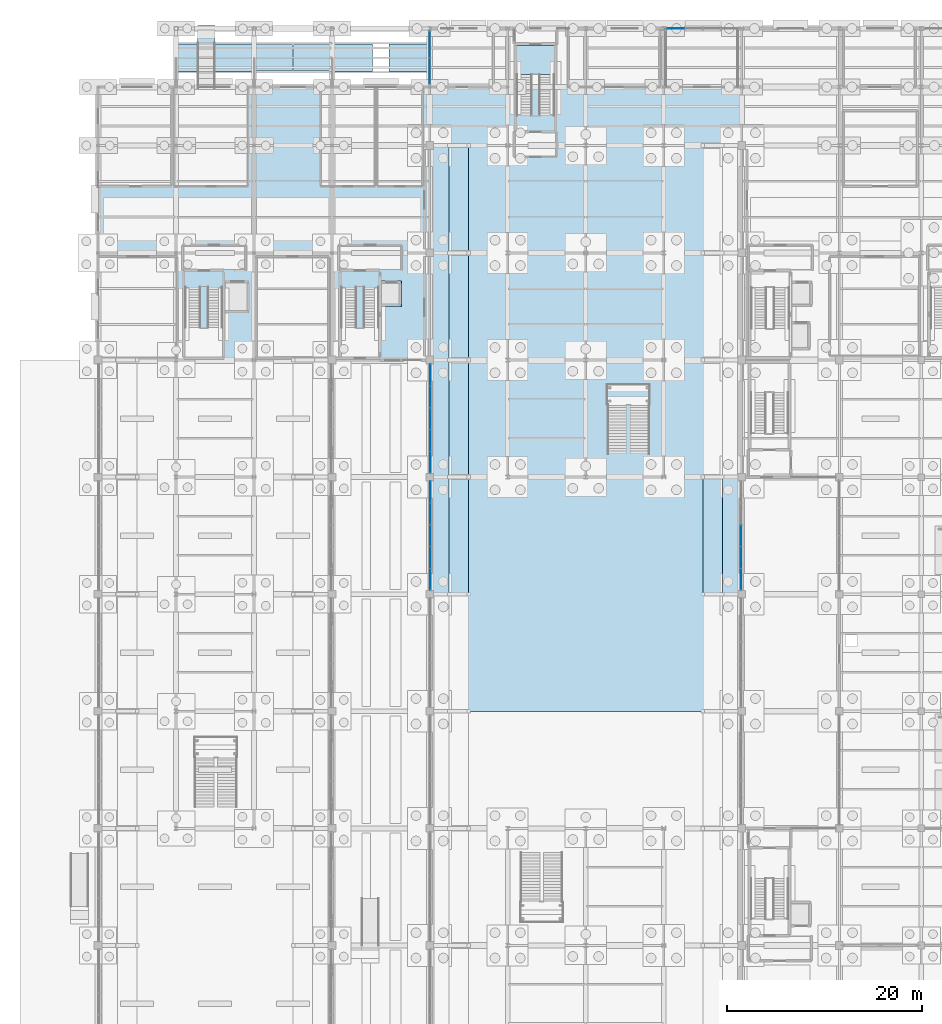
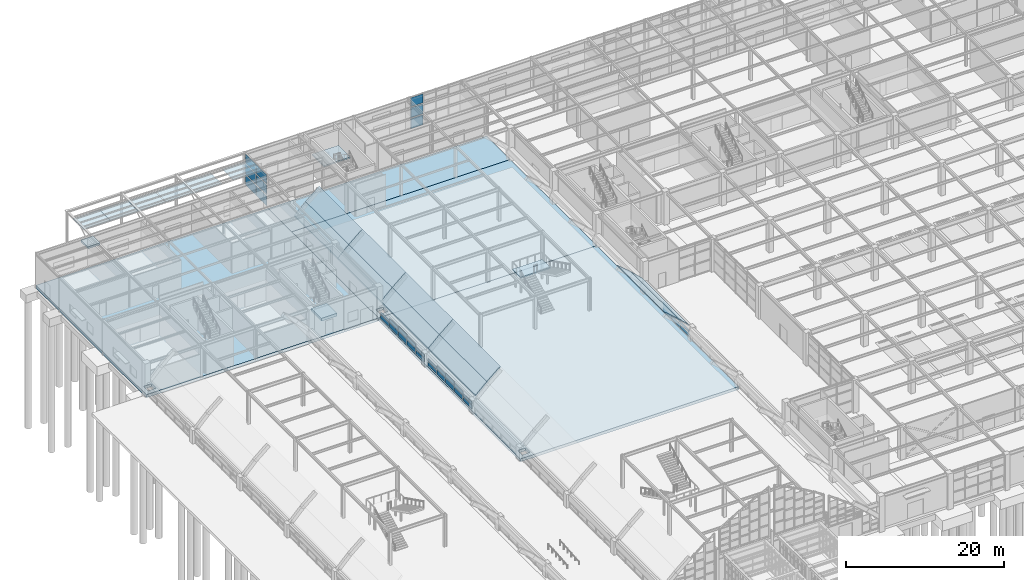
# One storey, part 88 of 129: 41 plates, 18 slabs, 8 elements without a shape of their own.
"""IFC4 building model written with IfcOpenShell, lengths in metres."""

from ifc_helpers import new_model, si_unit, direction, frame, origin, origin_2d, place, context, subcontext, project, spatial, polyline, rectangle, outline, extrude, material, layer, layer_set, type_object, element, aggregate, save


model = new_model("IFC4")

# Units and contexts
model_context = context("Model", 3, precision=1e-05, world=origin(), true_north=direction((0.0, 1.0)))
body_context = subcontext(model_context, "Body", "Model", "MODEL_VIEW")
ifc_project = project(units=[si_unit("LENGTHUNIT", "METRE"), si_unit("AREAUNIT", "SQUARE_METRE"), si_unit("VOLUMEUNIT", "CUBIC_METRE"), si_unit("PLANEANGLEUNIT", "RADIAN"), si_unit("MASSUNIT", "GRAM", prefix="KILO")], contexts=[model_context])

# Site, building, storey
site_placement = place(None, origin())
site = spatial("IfcSite", under=ifc_project, at=site_placement, CompositionType="ELEMENT")
building_placement = place(site_placement, origin())
building = spatial("IfcBuilding", under=site, at=building_placement, Name="Sitalva Quay Ferry Terminal", CompositionType="ELEMENT")
storey_placement = place(building_placement, origin())
storey = spatial("IfcBuildingStorey", under=building, at=storey_placement, Name="L01", CompositionType="ELEMENT", Elevation=0.0)

# Curtain wall, plates
ifc_material_1 = material(Name="Anodised Aluminium & Low-E Glazing", Category="aluminium")
ifc_layer_1 = layer(ifc_material_1, 0.159912109375)
ifc_layer_set_1 = layer_set([ifc_layer_1], Name="Anodised Aluminium & Low-E Glazing")
curtain_wall_type_1 = type_object("IfcCurtainWallType", Name="CW_VaultArch_Glazed", PredefinedType="USERDEFINED", material=ifc_layer_set_1)
curtain_wall_1_placement = place(storey_placement, origin())
curtain_wall_1 = element("IfcCurtainWall", 1, at=curtain_wall_1_placement, inside=storey, type_object=curtain_wall_type_1, Name="V1-W shallow-arch base glazing (CW-L01-026)", ObjectType="CURTAIN_WALL", PredefinedType="USERDEFINED")
ifc_material_2 = material(Name="Clear Low-Iron Arch Glazing", Category="glass")
ifc_layer_2 = layer(ifc_material_2, 0.02587890625)
ifc_layer_set_2 = layer_set([ifc_layer_2], Name="Clear Low-Iron Arch Glazing")
plate_type_1 = type_object("IfcPlateType", Name="Panel_Arch_IGU_26", PredefinedType="CURTAIN_PANEL", material=ifc_layer_set_2)
plate_1_placement = place(storey_placement, frame((42.080078125, 55.52001953125, 0.155029296875), z_axis=(0.0, 0.0, 1.0), x_axis=(0.0, 1.0, 0.0)))
plate_1 = element("IfcPlate", 2, at=plate_1_placement, type_object=plate_type_1, Name="CW-L01-026-P0-0", PredefinedType="CURTAIN_PANEL", context=body_context, shape_type="SweptSolid", body=[
    extrude(rectangle(XDim=2.169921875, YDim=0.02587890625, at=origin_2d()), origin(), (0.0, 0.0, 1.0), 0.544921875),
])
plate_2_placement = place(storey_placement, frame((42.080078125, 55.52001953125, 0.85498046875), z_axis=(0.0, 0.0, 1.0), x_axis=(0.0, 1.0, 0.0)))
plate_2 = element("IfcPlate", 3, at=plate_2_placement, type_object=plate_type_1, Name="CW-L01-026-P0-1", PredefinedType="CURTAIN_PANEL", context=body_context, shape_type="SweptSolid", body=[
    extrude(rectangle(XDim=2.169921875, YDim=0.02587890625, at=origin_2d()), origin(), (0.0, 0.0, 1.0), 0.389892578125),
])
plate_3_placement = place(storey_placement, frame((42.080078125, 57.760009765625, 0.1552734375), z_axis=(0.0, 0.0, 1.0), x_axis=(0.0, 1.0, 0.0)))
plate_3 = element("IfcPlate", 4, at=plate_3_placement, type_object=plate_type_1, Name="CW-L01-026-P1-0", PredefinedType="CURTAIN_PANEL", context=body_context, shape_type="SweptSolid", body=[
    extrude(rectangle(XDim=2.169921875, YDim=0.02587890625, at=origin_2d()), origin(), (0.0, 0.0, 1.0), 0.698486328125),
])
plate_4_placement = place(storey_placement, frame((42.080078125, 57.760009765625, 1.0087890625), z_axis=(0.0, 0.0, 1.0), x_axis=(0.0, 1.0, 0.0)))
plate_4 = element("IfcPlate", 5, at=plate_4_placement, type_object=plate_type_1, Name="CW-L01-026-P1-1", PredefinedType="CURTAIN_PANEL", context=body_context, shape_type="SweptSolid", body=[
    extrude(rectangle(XDim=2.169921875, YDim=0.02587890625, at=origin_2d()), origin(), (0.0, 0.0, 1.0), 0.543701171875),
])
plate_5_placement = place(storey_placement, frame((42.080078125, 60.0, 0.155029296875), z_axis=(0.0, 0.0, 1.0), x_axis=(0.0, 1.0, 0.0)))
plate_5 = element("IfcPlate", 6, at=plate_5_placement, type_object=plate_type_1, Name="CW-L01-026-P2-0", PredefinedType="CURTAIN_PANEL", context=body_context, shape_type="SweptSolid", body=[
    extrude(rectangle(XDim=2.169921875, YDim=0.02587890625, at=origin_2d()), origin(), (0.0, 0.0, 1.0), 0.775390625),
])
plate_6_placement = place(storey_placement, frame((42.080078125, 60.0, 1.08544921875), z_axis=(0.0, 0.0, 1.0), x_axis=(0.0, 1.0, 0.0)))
plate_6 = element("IfcPlate", 7, at=plate_6_placement, type_object=plate_type_1, Name="CW-L01-026-P2-1", PredefinedType="CURTAIN_PANEL", context=body_context, shape_type="SweptSolid", body=[
    extrude(rectangle(XDim=2.169921875, YDim=0.02587890625, at=origin_2d()), origin(), (0.0, 0.0, 1.0), 0.620361328125),
])
plate_7_placement = place(storey_placement, frame((42.080078125, 62.239990234375, 0.1552734375), z_axis=(0.0, 0.0, 1.0), x_axis=(0.0, 1.0, 0.0)))
plate_7 = element("IfcPlate", 8, at=plate_7_placement, type_object=plate_type_1, Name="CW-L01-026-P3-0", PredefinedType="CURTAIN_PANEL", context=body_context, shape_type="SweptSolid", body=[
    extrude(rectangle(XDim=2.169921875, YDim=0.02587890625, at=origin_2d()), origin(), (0.0, 0.0, 1.0), 0.698486328125),
])
plate_8_placement = place(storey_placement, frame((42.080078125, 62.239990234375, 1.0087890625), z_axis=(0.0, 0.0, 1.0), x_axis=(0.0, 1.0, 0.0)))
plate_8 = element("IfcPlate", 9, at=plate_8_placement, type_object=plate_type_1, Name="CW-L01-026-P3-1", PredefinedType="CURTAIN_PANEL", context=body_context, shape_type="SweptSolid", body=[
    extrude(rectangle(XDim=2.169921875, YDim=0.02587890625, at=origin_2d()), origin(), (0.0, 0.0, 1.0), 0.543701171875),
])
plate_9_placement = place(storey_placement, frame((42.080078125, 64.47998046875, 0.155029296875), z_axis=(0.0, 0.0, 1.0), x_axis=(0.0, 1.0, 0.0)))
plate_9 = element("IfcPlate", 10, at=plate_9_placement, type_object=plate_type_1, Name="CW-L01-026-P4-0", PredefinedType="CURTAIN_PANEL", context=body_context, shape_type="SweptSolid", body=[
    extrude(rectangle(XDim=2.169921875, YDim=0.02587890625, at=origin_2d()), origin(), (0.0, 0.0, 1.0), 0.544921875),
])
plate_10_placement = place(storey_placement, frame((42.080078125, 64.47998046875, 0.85498046875), z_axis=(0.0, 0.0, 1.0), x_axis=(0.0, 1.0, 0.0)))
plate_10 = element("IfcPlate", 11, at=plate_10_placement, type_object=plate_type_1, Name="CW-L01-026-P4-1", PredefinedType="CURTAIN_PANEL", context=body_context, shape_type="SweptSolid", body=[
    extrude(rectangle(XDim=2.169921875, YDim=0.02587890625, at=origin_2d()), origin(), (0.0, 0.0, 1.0), 0.389892578125),
])
aggregate(curtain_wall_1, [plate_1, plate_2, plate_3, plate_4, plate_5, plate_6, plate_7, plate_8, plate_9, plate_10])

curtain_wall_2_placement = place(storey_placement, origin())
curtain_wall_2 = element("IfcCurtainWall", 12, at=curtain_wall_2_placement, inside=storey, type_object=curtain_wall_type_1, Name="V1-W shallow-arch base glazing (CW-L01-029)", ObjectType="CURTAIN_WALL", PredefinedType="USERDEFINED")
plate_11_placement = place(storey_placement, frame((42.080078125, 67.52001953125, 0.155029296875), z_axis=(0.0, 0.0, 1.0), x_axis=(0.0, 1.0, 0.0)))
plate_11 = element("IfcPlate", 13, at=plate_11_placement, type_object=plate_type_1, Name="CW-L01-029-P0-0", PredefinedType="CURTAIN_PANEL", context=body_context, shape_type="SweptSolid", body=[
    extrude(rectangle(XDim=2.169921875, YDim=0.02587890625, at=origin_2d()), origin(), (0.0, 0.0, 1.0), 0.544921875),
])
plate_12_placement = place(storey_placement, frame((42.080078125, 67.52001953125, 0.85498046875), z_axis=(0.0, 0.0, 1.0), x_axis=(0.0, 1.0, 0.0)))
plate_12 = element("IfcPlate", 14, at=plate_12_placement, type_object=plate_type_1, Name="CW-L01-029-P0-1", PredefinedType="CURTAIN_PANEL", context=body_context, shape_type="SweptSolid", body=[
    extrude(rectangle(XDim=2.169921875, YDim=0.02587890625, at=origin_2d()), origin(), (0.0, 0.0, 1.0), 0.389892578125),
])
plate_13_placement = place(storey_placement, frame((42.080078125, 69.760009765625, 0.1552734375), z_axis=(0.0, 0.0, 1.0), x_axis=(0.0, 1.0, 0.0)))
plate_13 = element("IfcPlate", 15, at=plate_13_placement, type_object=plate_type_1, Name="CW-L01-029-P1-0", PredefinedType="CURTAIN_PANEL", context=body_context, shape_type="SweptSolid", body=[
    extrude(rectangle(XDim=2.169921875, YDim=0.02587890625, at=origin_2d()), origin(), (0.0, 0.0, 1.0), 0.698486328125),
])
plate_14_placement = place(storey_placement, frame((42.080078125, 69.760009765625, 1.0087890625), z_axis=(0.0, 0.0, 1.0), x_axis=(0.0, 1.0, 0.0)))
plate_14 = element("IfcPlate", 16, at=plate_14_placement, type_object=plate_type_1, Name="CW-L01-029-P1-1", PredefinedType="CURTAIN_PANEL", context=body_context, shape_type="SweptSolid", body=[
    extrude(rectangle(XDim=2.169921875, YDim=0.02587890625, at=origin_2d()), origin(), (0.0, 0.0, 1.0), 0.543701171875),
])
plate_15_placement = place(storey_placement, frame((42.080078125, 72.0, 0.155029296875), z_axis=(0.0, 0.0, 1.0), x_axis=(0.0, 1.0, 0.0)))
plate_15 = element("IfcPlate", 17, at=plate_15_placement, type_object=plate_type_1, Name="CW-L01-029-P2-0", PredefinedType="CURTAIN_PANEL", context=body_context, shape_type="SweptSolid", body=[
    extrude(rectangle(XDim=2.169921875, YDim=0.02587890625, at=origin_2d()), origin(), (0.0, 0.0, 1.0), 0.775390625),
])
plate_16_placement = place(storey_placement, frame((42.080078125, 72.0, 1.08544921875), z_axis=(0.0, 0.0, 1.0), x_axis=(0.0, 1.0, 0.0)))
plate_16 = element("IfcPlate", 18, at=plate_16_placement, type_object=plate_type_1, Name="CW-L01-029-P2-1", PredefinedType="CURTAIN_PANEL", context=body_context, shape_type="SweptSolid", body=[
    extrude(rectangle(XDim=2.169921875, YDim=0.02587890625, at=origin_2d()), origin(), (0.0, 0.0, 1.0), 0.620361328125),
])
plate_17_placement = place(storey_placement, frame((42.080078125, 74.239990234375, 0.1552734375), z_axis=(0.0, 0.0, 1.0), x_axis=(0.0, 1.0, 0.0)))
plate_17 = element("IfcPlate", 19, at=plate_17_placement, type_object=plate_type_1, Name="CW-L01-029-P3-0", PredefinedType="CURTAIN_PANEL", context=body_context, shape_type="SweptSolid", body=[
    extrude(rectangle(XDim=2.169921875, YDim=0.02587890625, at=origin_2d()), origin(), (0.0, 0.0, 1.0), 0.698486328125),
])
plate_18_placement = place(storey_placement, frame((42.080078125, 74.239990234375, 1.0087890625), z_axis=(0.0, 0.0, 1.0), x_axis=(0.0, 1.0, 0.0)))
plate_18 = element("IfcPlate", 20, at=plate_18_placement, type_object=plate_type_1, Name="CW-L01-029-P3-1", PredefinedType="CURTAIN_PANEL", context=body_context, shape_type="SweptSolid", body=[
    extrude(rectangle(XDim=2.169921875, YDim=0.02587890625, at=origin_2d()), origin(), (0.0, 0.0, 1.0), 0.543701171875),
])
plate_19_placement = place(storey_placement, frame((42.080078125, 76.47998046875, 0.155029296875), z_axis=(0.0, 0.0, 1.0), x_axis=(0.0, 1.0, 0.0)))
plate_19 = element("IfcPlate", 21, at=plate_19_placement, type_object=plate_type_1, Name="CW-L01-029-P4-0", PredefinedType="CURTAIN_PANEL", context=body_context, shape_type="SweptSolid", body=[
    extrude(rectangle(XDim=2.169921875, YDim=0.02587890625, at=origin_2d()), origin(), (0.0, 0.0, 1.0), 0.544921875),
])
plate_20_placement = place(storey_placement, frame((42.080078125, 76.47998046875, 0.85498046875), z_axis=(0.0, 0.0, 1.0), x_axis=(0.0, 1.0, 0.0)))
plate_20 = element("IfcPlate", 22, at=plate_20_placement, type_object=plate_type_1, Name="CW-L01-029-P4-1", PredefinedType="CURTAIN_PANEL", context=body_context, shape_type="SweptSolid", body=[
    extrude(rectangle(XDim=2.169921875, YDim=0.02587890625, at=origin_2d()), origin(), (0.0, 0.0, 1.0), 0.389892578125),
])
aggregate(curtain_wall_2, [plate_11, plate_12, plate_13, plate_14, plate_15, plate_16, plate_17, plate_18, plate_19, plate_20])

curtain_wall_3_placement = place(storey_placement, origin())
curtain_wall_3 = element("IfcCurtainWall", 23, at=curtain_wall_3_placement, inside=storey, type_object=curtain_wall_type_1, Name="V1-E shallow-arch base glazing (CW-L01-032)", ObjectType="CURTAIN_WALL", PredefinedType="USERDEFINED")
plate_21_placement = place(storey_placement, frame((73.919921875, 55.52001953125, 0.155029296875), z_axis=(0.0, 0.0, 1.0), x_axis=(0.0, 1.0, 0.0)))
plate_21 = element("IfcPlate", 24, at=plate_21_placement, type_object=plate_type_1, Name="CW-L01-032-P0-0", PredefinedType="CURTAIN_PANEL", context=body_context, shape_type="SweptSolid", body=[
    extrude(rectangle(XDim=2.169921875, YDim=0.02587890625, at=origin_2d()), origin(), (0.0, 0.0, 1.0), 0.544921875),
])
plate_22_placement = place(storey_placement, frame((73.919921875, 55.52001953125, 0.85498046875), z_axis=(0.0, 0.0, 1.0), x_axis=(0.0, 1.0, 0.0)))
plate_22 = element("IfcPlate", 25, at=plate_22_placement, type_object=plate_type_1, Name="CW-L01-032-P0-1", PredefinedType="CURTAIN_PANEL", context=body_context, shape_type="SweptSolid", body=[
    extrude(rectangle(XDim=2.169921875, YDim=0.02587890625, at=origin_2d()), origin(), (0.0, 0.0, 1.0), 0.389892578125),
])
plate_23_placement = place(storey_placement, frame((73.919921875, 57.760009765625, 0.1552734375), z_axis=(0.0, 0.0, 1.0), x_axis=(0.0, 1.0, 0.0)))
plate_23 = element("IfcPlate", 26, at=plate_23_placement, type_object=plate_type_1, Name="CW-L01-032-P1-0", PredefinedType="CURTAIN_PANEL", context=body_context, shape_type="SweptSolid", body=[
    extrude(rectangle(XDim=2.169921875, YDim=0.02587890625, at=origin_2d()), origin(), (0.0, 0.0, 1.0), 0.698486328125),
])
plate_24_placement = place(storey_placement, frame((73.919921875, 57.760009765625, 1.0087890625), z_axis=(0.0, 0.0, 1.0), x_axis=(0.0, 1.0, 0.0)))
plate_24 = element("IfcPlate", 27, at=plate_24_placement, type_object=plate_type_1, Name="CW-L01-032-P1-1", PredefinedType="CURTAIN_PANEL", context=body_context, shape_type="SweptSolid", body=[
    extrude(rectangle(XDim=2.169921875, YDim=0.02587890625, at=origin_2d()), origin(), (0.0, 0.0, 1.0), 0.543701171875),
])
plate_25_placement = place(storey_placement, frame((73.919921875, 60.0, 0.155029296875), z_axis=(0.0, 0.0, 1.0), x_axis=(0.0, 1.0, 0.0)))
plate_25 = element("IfcPlate", 28, at=plate_25_placement, type_object=plate_type_1, Name="CW-L01-032-P2-0", PredefinedType="CURTAIN_PANEL", context=body_context, shape_type="SweptSolid", body=[
    extrude(rectangle(XDim=2.169921875, YDim=0.02587890625, at=origin_2d()), origin(), (0.0, 0.0, 1.0), 0.775390625),
])
plate_26_placement = place(storey_placement, frame((73.919921875, 60.0, 1.08544921875), z_axis=(0.0, 0.0, 1.0), x_axis=(0.0, 1.0, 0.0)))
plate_26 = element("IfcPlate", 29, at=plate_26_placement, type_object=plate_type_1, Name="CW-L01-032-P2-1", PredefinedType="CURTAIN_PANEL", context=body_context, shape_type="SweptSolid", body=[
    extrude(rectangle(XDim=2.169921875, YDim=0.02587890625, at=origin_2d()), origin(), (0.0, 0.0, 1.0), 0.620361328125),
])
aggregate(curtain_wall_3, [plate_21, plate_22, plate_23, plate_24, plate_25, plate_26])

ifc_material_3 = material(Name="Anodised Aluminium & Low-E Glazing", Category="aluminium")
ifc_layer_3 = layer(ifc_material_3, 0.159912109375)
ifc_layer_set_3 = layer_set([ifc_layer_3], Name="Anodised Aluminium & Low-E Glazing")
curtain_wall_type_2 = type_object("IfcCurtainWallType", Name="CW_Podium_Stick", PredefinedType="USERDEFINED", material=ifc_layer_set_3)
curtain_wall_4_placement = place(storey_placement, origin())
curtain_wall_4 = element("IfcCurtainWall", 30, at=curtain_wall_4_placement, inside=storey, type_object=curtain_wall_type_2, Name="Forecourt west return glazing L01 (CW-L01-100)", ObjectType="CURTAIN_WALL", PredefinedType="USERDEFINED")
ifc_material_4 = material(Name="Laminated Low-E Double Glazing", Category="glass")
ifc_layer_4 = layer(ifc_material_4, 0.028076171875)
ifc_layer_set_4 = layer_set([ifc_layer_4], Name="Laminated Low-E Double Glazing")
plate_type_2 = type_object("IfcPlateType", Name="Panel_LowE_IGU_28", PredefinedType="CURTAIN_PANEL", material=ifc_layer_set_4)
plate_27_placement = place(storey_placement, frame((42.0, 107.64990234375, 0.155029296875), z_axis=(0.0, 0.0, 1.0), x_axis=(0.0, 1.0, 0.0)))
plate_27 = element("IfcPlate", 31, at=plate_27_placement, type_object=plate_type_2, Name="CW-L01-100-P0-0", PredefinedType="CURTAIN_PANEL", context=body_context, shape_type="SweptSolid", body=[
    extrude(rectangle(XDim=2.625, YDim=0.028076171875, at=origin_2d()), origin(), (0.0, 0.0, 1.0), 1.5517578125),
])
plate_28_placement = place(storey_placement, frame((42.0, 107.64990234375, 1.861572265625), z_axis=(0.0, 0.0, 1.0), x_axis=(0.0, 1.0, 0.0)))
plate_28 = element("IfcPlate", 32, at=plate_28_placement, type_object=plate_type_2, Name="CW-L01-100-P0-1", PredefinedType="CURTAIN_PANEL", context=body_context, shape_type="SweptSolid", body=[
    extrude(rectangle(XDim=2.625, YDim=0.028076171875, at=origin_2d()), origin(), (0.0, 0.0, 1.0), 1.5517578125),
])
plate_29_placement = place(storey_placement, frame((42.0, 107.64990234375, 3.568359375), z_axis=(0.0, 0.0, 1.0), x_axis=(0.0, 1.0, 0.0)))
plate_29 = element("IfcPlate", 33, at=plate_29_placement, type_object=plate_type_2, Name="CW-L01-100-P0-2", PredefinedType="CURTAIN_PANEL", context=body_context, shape_type="SweptSolid", body=[
    extrude(rectangle(XDim=2.625, YDim=0.028076171875, at=origin_2d()), origin(), (0.0, 0.0, 1.0), 1.396728515625),
])
plate_30_placement = place(storey_placement, frame((42.0, 110.35009765625, 0.155029296875), z_axis=(0.0, 0.0, 1.0), x_axis=(0.0, 1.0, 0.0)))
plate_30 = element("IfcPlate", 34, at=plate_30_placement, type_object=plate_type_2, Name="CW-L01-100-P1-0", PredefinedType="CURTAIN_PANEL", context=body_context, shape_type="SweptSolid", body=[
    extrude(rectangle(XDim=2.625, YDim=0.028076171875, at=origin_2d()), origin(), (0.0, 0.0, 1.0), 1.5517578125),
])
plate_31_placement = place(storey_placement, frame((42.0, 110.35009765625, 1.861572265625), z_axis=(0.0, 0.0, 1.0), x_axis=(0.0, 1.0, 0.0)))
plate_31 = element("IfcPlate", 35, at=plate_31_placement, type_object=plate_type_2, Name="CW-L01-100-P1-1", PredefinedType="CURTAIN_PANEL", context=body_context, shape_type="SweptSolid", body=[
    extrude(rectangle(XDim=2.625, YDim=0.028076171875, at=origin_2d()), origin(), (0.0, 0.0, 1.0), 1.5517578125),
])
plate_32_placement = place(storey_placement, frame((42.0, 110.35009765625, 3.568359375), z_axis=(0.0, 0.0, 1.0), x_axis=(0.0, 1.0, 0.0)))
plate_32 = element("IfcPlate", 36, at=plate_32_placement, type_object=plate_type_2, Name="CW-L01-100-P1-2", PredefinedType="CURTAIN_PANEL", context=body_context, shape_type="SweptSolid", body=[
    extrude(rectangle(XDim=2.625, YDim=0.028076171875, at=origin_2d()), origin(), (0.0, 0.0, 1.0), 1.396728515625),
])
aggregate(curtain_wall_4, [plate_27, plate_28, plate_29, plate_30, plate_31, plate_32])

ifc_material_5 = material(Name="Anodised Aluminium & Low-E Glazing", Category="aluminium")
ifc_layer_5 = layer(ifc_material_5, 0.159912109375)
ifc_layer_set_5 = layer_set([ifc_layer_5], Name="Anodised Aluminium & Low-E Glazing")
curtain_wall_type_3 = type_object("IfcCurtainWallType", Name="CW_Concourse_Unitised", PredefinedType="USERDEFINED", material=ifc_layer_set_5)
curtain_wall_5_placement = place(storey_placement, origin())
curtain_wall_5 = element("IfcCurtainWall", 37, at=curtain_wall_5_placement, inside=storey, type_object=curtain_wall_type_3, Name="Forecourt arrival hall glazing L01 (CW-L01-102)", ObjectType="CURTAIN_WALL", PredefinedType="USERDEFINED")
ifc_material_6 = material(Name="Acoustic Laminated Marine Glazing", Category="glass")
ifc_layer_6 = layer(ifc_material_6, 0.033935546875)
ifc_layer_set_6 = layer_set([ifc_layer_6], Name="Acoustic Laminated Marine Glazing")
plate_type_3 = type_object("IfcPlateType", Name="Panel_Marine_IGU_34", PredefinedType="CURTAIN_PANEL", material=ifc_layer_set_6)
plate_33_placement = place(storey_placement, frame((67.22509765625, 112.0, 0.14990234375), z_axis=(0.0, 0.0, 1.0), x_axis=(1.0, 0.0, 0.0)))
plate_33 = element("IfcPlate", 38, at=plate_33_placement, type_object=plate_type_3, Name="CW-L01-102-P0-0", PredefinedType="CURTAIN_PANEL", context=body_context, shape_type="SweptSolid", body=[
    extrude(rectangle(XDim=1.764892578125, YDim=0.033935546875, at=origin_2d()), origin(), (0.0, 0.0, 1.0), 1.556640625),
])
plate_34_placement = place(storey_placement, frame((67.22509765625, 112.0, 1.856689453125), z_axis=(0.0, 0.0, 1.0), x_axis=(1.0, 0.0, 0.0)))
plate_34 = element("IfcPlate", 39, at=plate_34_placement, type_object=plate_type_3, Name="CW-L01-102-P0-1", PredefinedType="CURTAIN_PANEL", context=body_context, shape_type="SweptSolid", body=[
    extrude(rectangle(XDim=1.764892578125, YDim=0.033935546875, at=origin_2d()), origin(), (0.0, 0.0, 1.0), 1.556640625),
])
plate_35_placement = place(storey_placement, frame((67.22509765625, 112.0, 3.563232421875), z_axis=(0.0, 0.0, 1.0), x_axis=(1.0, 0.0, 0.0)))
plate_35 = element("IfcPlate", 40, at=plate_35_placement, type_object=plate_type_3, Name="CW-L01-102-P0-2", PredefinedType="CURTAIN_PANEL", context=body_context, shape_type="SweptSolid", body=[
    extrude(rectangle(XDim=1.764892578125, YDim=0.033935546875, at=origin_2d()), origin(), (0.0, 0.0, 1.0), 1.40673828125),
])
aggregate(curtain_wall_5, [plate_33, plate_34, plate_35])

# Slabs
ifc_material_7 = material(Name="Concrete C35/45", Category="concrete")
ifc_layer_7 = layer(ifc_material_7, 0.419921875)
ifc_layer_set_7 = layer_set([ifc_layer_7], Name="Concrete C35/45")
slab_type_1 = type_object("IfcSlabType", Name="Slab_LiftPit_420", PredefinedType="BASESLAB", material=ifc_layer_set_7)
slab_1_placement = place(storey_placement, frame((0.0, 0.0, -2.02001953125)))
element("IfcSlab", 41, at=slab_1_placement, inside=storey, type_object=slab_type_1, Name="Lift LF-05 pit base slab", PredefinedType="BASESLAB", context=body_context, shape_type="SweptSolid", body=[
    extrude(outline(polyline([(36.800048828125, 83.5), (39.10009765625, 83.5), (39.10009765625, 86.10009765625), (36.800048828125, 86.10009765625), (36.800048828125, 83.5)])), origin(), (0.0, 0.0, 1.0), 0.419921875),
])
ifc_material_8 = material(Name="Concrete C40/50", Category="concrete")
ifc_layer_8 = layer(ifc_material_8, 0.159912109375)
ifc_layer_set_8 = layer_set([ifc_layer_8], Name="Concrete C40/50")
slab_type_2 = type_object("IfcSlabType", Name="Slab_PointedVaultShell_160", PredefinedType="ROOF", material=ifc_layer_set_8)
slab_2_placement = place(storey_placement, frame((42.3798828125, 54.0, 2.460205078125), z_axis=(-0.688047902254, 0.0, 0.725665270082), x_axis=(0.725665270082, 0.0, 0.688047902254)))
element("IfcSlab", 42, at=slab_2_placement, inside=storey, type_object=slab_type_2, Name="Vault V1 pointed shell facet B5-F1", PredefinedType="ROOF", context=body_context, shape_type="SweptSolid", body=[
    extrude(outline(polyline([(0.0, 0.0), (2.2325957356566075, 0.0), (2.2325957356566075, 12.0), (0.0, 12.0), (0.0, 0.0)])), origin(), (-0.688047902254, 0.0, -0.725665270082), 0.220458984375),
])
slab_3_placement = place(storey_placement, frame((44.0, 54.0, 3.996337890625), z_axis=(-0.649521624646, 0.0, 0.760343119334), x_axis=(0.760343119334, 0.0, 0.649521624646)))
element("IfcSlab", 43, at=slab_3_placement, inside=storey, type_object=slab_type_2, Name="Vault V1 pointed shell facet B5-F2", PredefinedType="ROOF", context=body_context, shape_type="SweptSolid", body=[
    extrude(outline(polyline([(0.0, 0.0), (2.630391397180087, 0.0), (2.630391397180087, 12.0), (0.0, 12.0), (0.0, 0.0)])), origin(), (-0.649521624646, 0.0, -0.760343119334), 0.21044921875),
])
slab_4_placement = place(storey_placement, frame((70.0, 54.0, 5.704833984375), z_axis=(0.649521624646, 0.0, 0.760343119334), x_axis=(0.760343119334, 0.0, -0.649521624646)))
element("IfcSlab", 44, at=slab_4_placement, inside=storey, type_object=slab_type_2, Name="Vault V1 pointed shell facet B5-F15", PredefinedType="ROOF", context=body_context, shape_type="SweptSolid", body=[
    extrude(outline(polyline([(0.0, 0.0), (2.630391397180087, 0.0), (2.630391397180087, 12.0), (0.0, 12.0), (0.0, 0.0)])), origin(), (0.649521624646, 0.0, -0.760343119334), 0.21044921875),
])
slab_5_placement = place(storey_placement, frame((72.0, 54.0, 3.996337890625), z_axis=(0.688047902254, 0.0, 0.725665270082), x_axis=(0.725665270082, 0.0, -0.688047902254)))
element("IfcSlab", 45, at=slab_5_placement, inside=storey, type_object=slab_type_2, Name="Vault V1 pointed shell facet B5-F16", PredefinedType="ROOF", context=body_context, shape_type="SweptSolid", body=[
    extrude(outline(polyline([(0.0, 0.0), (2.2325957356566075, 0.0), (2.2325957356566075, 12.0), (0.0, 12.0), (0.0, 0.0)])), origin(), (0.688047902254, 0.0, -0.725665270082), 0.220458984375),
])
slab_6_placement = place(storey_placement, frame((42.3798828125, 66.0, 2.460205078125), z_axis=(-0.688047902254, 0.0, 0.725665270082), x_axis=(0.725665270082, 0.0, 0.688047902254)))
element("IfcSlab", 46, at=slab_6_placement, inside=storey, type_object=slab_type_2, Name="Vault V1 pointed shell facet B6-F1", PredefinedType="ROOF", context=body_context, shape_type="SweptSolid", body=[
    extrude(outline(polyline([(0.0, 0.0), (2.2325957356566075, 0.0), (2.2325957356566075, 12.0), (0.0, 12.0), (0.0, 0.0)])), origin(), (-0.688047902254, 0.0, -0.725665270082), 0.220458984375),
])
slab_7_placement = place(storey_placement, frame((44.0, 66.0, 3.996337890625), z_axis=(-0.649521624646, 0.0, 0.760343119334), x_axis=(0.760343119334, 0.0, 0.649521624646)))
element("IfcSlab", 47, at=slab_7_placement, inside=storey, type_object=slab_type_2, Name="Vault V1 pointed shell facet B6-F2", PredefinedType="ROOF", context=body_context, shape_type="SweptSolid", body=[
    extrude(outline(polyline([(0.0, 0.0), (2.630391397180087, 0.0), (2.630391397180087, 12.0), (0.0, 12.0), (0.0, 0.0)])), origin(), (-0.649521624646, 0.0, -0.760343119334), 0.21044921875),
])
slab_8_placement = place(storey_placement, frame((42.3798828125, 78.0, 2.460205078125), z_axis=(-0.688047902254, 0.0, 0.725665270082), x_axis=(0.725665270082, 0.0, 0.688047902254)))
element("IfcSlab", 48, at=slab_8_placement, inside=storey, type_object=slab_type_2, Name="Vault V1 pointed shell facet B7-F1", PredefinedType="ROOF", context=body_context, shape_type="SweptSolid", body=[
    extrude(outline(polyline([(0.0, 0.0), (2.2325957356566075, 0.0), (2.2325957356566075, 11.0), (0.0, 11.0), (0.0, 0.0)])), origin(), (-0.688047902254, 0.0, -0.725665270082), 0.220458984375),
])
slab_9_placement = place(storey_placement, frame((44.0, 78.0, 3.996337890625), z_axis=(-0.649521624646, 0.0, 0.760343119334), x_axis=(0.760343119334, 0.0, 0.649521624646)))
element("IfcSlab", 49, at=slab_9_placement, inside=storey, type_object=slab_type_2, Name="Vault V1 pointed shell facet B7-F2", PredefinedType="ROOF", context=body_context, shape_type="SweptSolid", body=[
    extrude(outline(polyline([(0.0, 0.0), (2.630391397180087, 0.0), (2.630391397180087, 11.0), (0.0, 11.0), (0.0, 0.0)])), origin(), (-0.649521624646, 0.0, -0.760343119334), 0.21044921875),
])
slab_10_placement = place(storey_placement, frame((42.3798828125, 89.0, 2.460205078125), z_axis=(-0.688047902254, 0.0, 0.725665270082), x_axis=(0.725665270082, 0.0, 0.688047902254)))
element("IfcSlab", 50, at=slab_10_placement, inside=storey, type_object=slab_type_2, Name="Vault V1 pointed shell facet B8-F1", PredefinedType="ROOF", context=body_context, shape_type="SweptSolid", body=[
    extrude(outline(polyline([(0.0, 0.0), (2.2325957356566075, 0.0), (2.2325957356566075, 11.0), (0.0, 11.0), (0.0, 0.0)])), origin(), (-0.688047902254, 0.0, -0.725665270082), 0.220458984375),
])
slab_11_placement = place(storey_placement, frame((44.0, 89.0, 3.996337890625), z_axis=(-0.649521624646, 0.0, 0.760343119334), x_axis=(0.760343119334, 0.0, 0.649521624646)))
element("IfcSlab", 51, at=slab_11_placement, inside=storey, type_object=slab_type_2, Name="Vault V1 pointed shell facet B8-F2", PredefinedType="ROOF", context=body_context, shape_type="SweptSolid", body=[
    extrude(outline(polyline([(0.0, 0.0), (2.630391397180087, 0.0), (2.630391397180087, 11.0), (0.0, 11.0), (0.0, 0.0)])), origin(), (-0.649521624646, 0.0, -0.760343119334), 0.21044921875),
])
ifc_material_9 = material(Name="Concrete C35/45", Category="concrete")
ifc_layer_9 = layer(ifc_material_9, 0.449951171875)
ifc_layer_set_9 = layer_set([ifc_layer_9], Name="Concrete C35/45")
slab_type_3 = type_object("IfcSlabType", Name="Slab_QuayBase_450", PredefinedType="BASESLAB", material=ifc_layer_set_9)
slab_12_placement = place(storey_placement, frame((0.0, 0.0, -0.449951171875)))
element("IfcSlab", 52, at=slab_12_placement, inside=storey, type_object=slab_type_3, Name="L01 Departure hall mid base 013", PredefinedType="BASESLAB", context=body_context, shape_type="SweptSolid", body=[
    extrude(outline(polyline([(42.0, 42.0), (74.0, 42.0), (74.0, 78.0), (42.0, 78.0), (42.0, 42.0)]), holes=[polyline([(42.64990234375, 42.64990234375), (42.64990234375, 43.800048828125), (43.800048828125, 43.800048828125), (43.800048828125, 42.64990234375), (42.64990234375, 42.64990234375)])]), origin(), (0.0, 0.0, 1.0), 0.449951171875),
])
slab_13_placement = place(storey_placement, frame((0.0, 0.0, -0.449951171875)))
element("IfcSlab", 53, at=slab_13_placement, inside=storey, type_object=slab_type_3, Name="L01 Departure hall north base 014", PredefinedType="BASESLAB", context=body_context, shape_type="SweptSolid", body=[
    extrude(outline(polyline([(42.0, 78.0), (74.0, 78.0), (74.0, 100.0), (42.0, 100.0), (42.0, 78.0)]), holes=[polyline([(42.64990234375, 78.64990234375), (42.64990234375, 79.800048828125), (43.800048828125, 79.800048828125), (43.800048828125, 78.64990234375), (42.64990234375, 78.64990234375)])]), origin(), (0.0, 0.0, 1.0), 0.449951171875),
])
slab_14_placement = place(storey_placement, frame((0.0, 0.0, -0.449951171875)))
element("IfcSlab", 54, at=slab_14_placement, inside=storey, type_object=slab_type_3, Name="L01 North wing west base 025", PredefinedType="BASESLAB", context=body_context, shape_type="SweptSolid", body=[
    extrude(outline(polyline([(8.0, 78.0), (42.0, 78.0), (42.0, 106.0), (8.0, 106.0), (8.0, 78.0)]), holes=[polyline([(8.64990234375, 78.64990234375), (8.64990234375, 79.800048828125), (9.800048828125, 79.800048828125), (9.800048828125, 78.64990234375), (8.64990234375, 78.64990234375)])]), origin(), (0.0, 0.0, 1.0), 0.449951171875),
])
slab_15_placement = place(storey_placement, frame((0.0, 0.0, -0.449951171875)))
element("IfcSlab", 55, at=slab_15_placement, inside=storey, type_object=slab_type_3, Name="L01 North central throat base 028", PredefinedType="BASESLAB", context=body_context, shape_type="SweptSolid", body=[
    extrude(outline(polyline([(42.0, 100.0), (74.0, 100.0), (74.0, 106.0), (42.0, 106.0), (42.0, 100.0)])), origin(), (0.0, 0.0, 1.0), 0.449951171875),
])

# Ramp, slab
ifc_material_10 = material(Name="Concrete C35/45", Category="concrete")
ifc_layer_10 = layer(ifc_material_10, 0.25)
ifc_layer_set_10 = layer_set([ifc_layer_10], Name="Concrete C35/45")
ramp_type = type_object("IfcRampType", Name="Ramp_PedestrianAccess_1800", PredefinedType="STRAIGHT_RUN_RAMP", material=ifc_layer_set_10)
ramp_placement = place(storey_placement, origin())
ramp = element("IfcRamp", 56, at=ramp_placement, inside=storey, type_object=ramp_type, Name="West landside entrance accessible ramp", PredefinedType="STRAIGHT_RUN_RAMP")
ifc_material_11 = material(Name="Concrete C35/45", Category="concrete")
ifc_layer_11 = layer(ifc_material_11, 0.300048828125)
ifc_layer_set_11 = layer_set([ifc_layer_11], Name="Concrete C35/45")
slab_type_4 = type_object("IfcSlabType", Name="Slab_RampLanding_300", PredefinedType="LANDING", material=ifc_layer_set_11)
slab_16_placement = place(storey_placement, frame((0.0, 0.0, -0.679931640625)))
slab_16 = element("IfcSlab", 57, at=slab_16_placement, type_object=slab_type_4, Name="West landside entrance accessible ramp bottom landing", PredefinedType="LANDING", context=body_context, shape_type="SweptSolid", body=[
    extrude(outline(polyline([(18.199951171875, 110.5), (20.0, 110.5), (20.0, 112.300048828125), (18.199951171875, 112.300048828125), (18.199951171875, 110.5)])), origin(), (0.0, 0.0, 1.0), 0.300048828125),
])
aggregate(ramp, [slab_16])

# Stair, slab
ifc_material_12 = material(Name="Concrete C35/45", Category="concrete")
stair_type_1 = type_object("IfcStairType", Name="Stair_CoreDogLeg_1400", PredefinedType="HALF_TURN_STAIR", material=ifc_material_12)
stair_1_placement = place(storey_placement, origin())
stair_1 = element("IfcStair", 58, at=stair_1_placement, inside=storey, type_object=stair_type_1, Name="L01 Core C7 stair ST-07", PredefinedType="HALF_TURN_STAIR")
ifc_material_13 = material(Name="Concrete C35/45", Category="concrete")
ifc_layer_12 = layer(ifc_material_13, 0.199951171875)
ifc_layer_set_12 = layer_set([ifc_layer_12], Name="Concrete C35/45")
slab_type_5 = type_object("IfcSlabType", Name="Slab_StairLanding_200", PredefinedType="LANDING", material=ifc_layer_set_12)
slab_17_placement = place(storey_placement, frame((0.0, 0.0, 2.5)))
slab_17 = element("IfcSlab", 59, at=slab_17_placement, type_object=slab_type_5, Name="ST-07 landing 1", PredefinedType="LANDING", context=body_context, shape_type="SweptSolid", body=[
    extrude(outline(polyline([(54.780029296875, 107.280029296875), (54.780029296875, 110.280029296875), (50.919921875, 110.280029296875), (50.919921875, 107.280029296875), (54.780029296875, 107.280029296875)])), origin(), (0.0, 0.0, 1.0), 0.199951171875),
])
aggregate(stair_1, [slab_17])

ifc_material_14 = material(Name="Concrete C35/45", Category="concrete")
stair_type_2 = type_object("IfcStairType", Name="Stair_ConcourseFeature_2000", PredefinedType="HALF_TURN_STAIR", material=ifc_material_14)
stair_2_placement = place(storey_placement, origin())
stair_2 = element("IfcStair", 60, at=stair_2_placement, inside=storey, type_object=stair_type_2, Name="Grand concourse feature stair ST-12", PredefinedType="HALF_TURN_STAIR")
slab_18_placement = place(storey_placement, frame((0.0, 0.0, 2.5)))
slab_18 = element("IfcSlab", 61, at=slab_18_placement, type_object=slab_type_5, Name="ST-12 landing 1", PredefinedType="LANDING", context=body_context, shape_type="SweptSolid", body=[
    extrude(outline(polyline([(60.199951171875, 73.4599609375), (64.550048828125, 73.4599609375), (64.550048828125, 75.510009765625), (60.199951171875, 75.510009765625), (60.199951171875, 73.4599609375)])), origin(), (0.0, 0.0, 1.0), 0.199951171875),
])
aggregate(stair_2, [slab_18])

# Plates
ifc_material_15 = material(Name="Anodised Aluminium 6063-T6", Category="aluminium")
ifc_layer_13 = layer(ifc_material_15, 0.013916015625)
ifc_layer_set_13 = layer_set([ifc_layer_13], Name="Anodised Aluminium 6063-T6")
plate_type_4 = type_object("IfcPlateType", Name="SoffitSheet_4000x2700x14", PredefinedType="SHEET", material=ifc_layer_set_13)
for number, where, z_axis, x_axis, name in (
    (62, (25.949951171875, 109.0, 4.84912109375), (0.0, 0.0, 1.0), (1.0, 0.0, 0.0), "Canopy soffit cassette 03"),
    (63, (30.050048828125, 109.0, 4.84912109375), (0.0, 0.0, 1.0), (1.0, 0.0, 0.0), "Canopy soffit cassette 04"),
):
    element("IfcPlate", number, at=place(storey_placement, frame(where, z_axis=z_axis, x_axis=x_axis)), inside=storey, type_object=plate_type_4, Name=name, PredefinedType="SHEET", context=body_context, shape_type="SweptSolid", body=[
        extrude(rectangle(XDim=4.0, YDim=2.699951171875, at=origin_2d()), origin(), (0.0, 0.0, 1.0), 0.013916015625),
    ])
ifc_material_16 = material(Name="Anodised Aluminium 6063-T6", Category="aluminium")
ifc_layer_14 = layer(ifc_material_16, 0.013916015625)
ifc_layer_set_14 = layer_set([ifc_layer_14], Name="Anodised Aluminium 6063-T6")
plate_type_5 = type_object("IfcPlateType", Name="SoffitSheet_4200x2800x14", PredefinedType="SHEET", material=ifc_layer_set_14)
for number, where, z_axis, x_axis, name in (
    (64, (18.050048828125, 109.0, 4.84912109375), (0.0, 0.0, 1.0), (1.0, 0.0, 0.0), "Canopy soffit cassette 01"),
    (65, (21.949951171875, 109.0, 4.84912109375), (0.0, 0.0, 1.0), (1.0, 0.0, 0.0), "Canopy soffit cassette 02"),
    (66, (34.050048828125, 109.0, 4.84912109375), (0.0, 0.0, 1.0), (1.0, 0.0, 0.0), "Canopy soffit cassette 05"),
    (67, (39.949951171875, 109.0, 4.84912109375), (0.0, 0.0, 1.0), (1.0, 0.0, 0.0), "Canopy soffit cassette 06"),
):
    element("IfcPlate", number, at=place(storey_placement, frame(where, z_axis=z_axis, x_axis=x_axis)), inside=storey, type_object=plate_type_5, Name=name, PredefinedType="SHEET", context=body_context, shape_type="SweptSolid", body=[
        extrude(rectangle(XDim=4.199951171875, YDim=2.800048828125, at=origin_2d()), origin(), (0.0, 0.0, 1.0), 0.013916015625),
    ])

save(model, "model.ifc")
